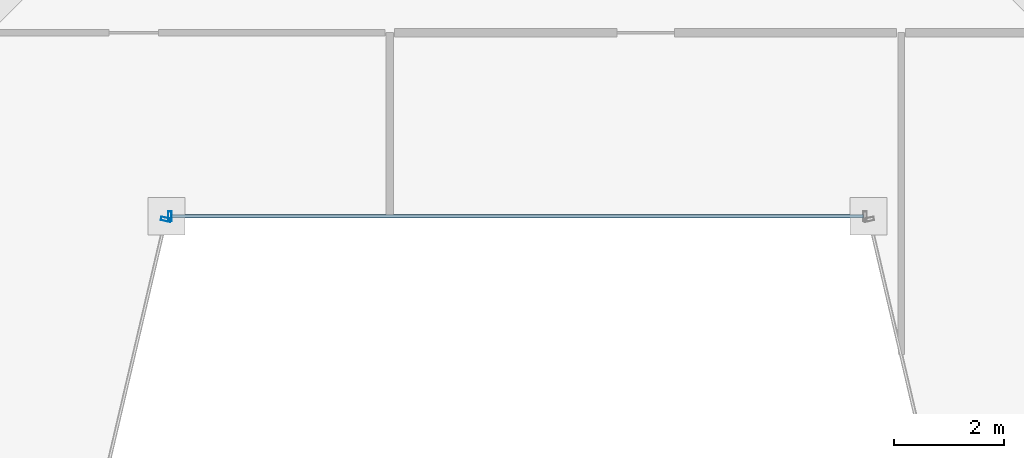
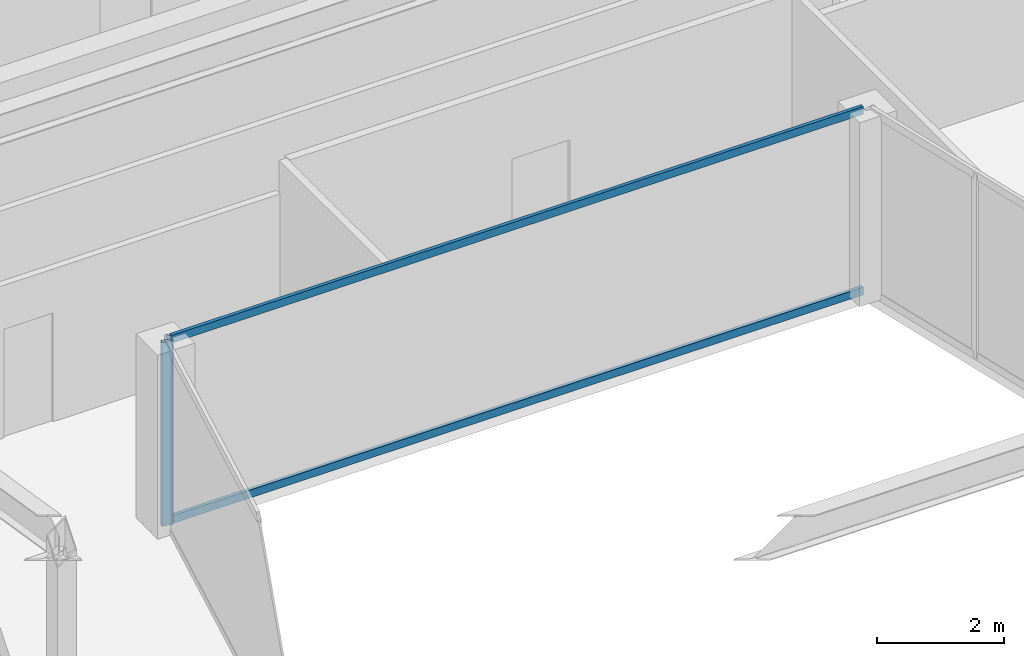
# One storey, part 8 of 32: 4 members, 2 elements without a shape of their own.
"""IFC4 building model written with IfcOpenShell, lengths in metres."""

from ifc_helpers import new_model, si_unit, direction, frame, origin, origin_2d, place, context, subcontext, project, spatial, hollow_rectangle, extrude, material, material_profile, profile_set, type_object, element, aggregate, save


model = new_model("IFC4")

# Units and contexts
model_context = context("Model", 3, precision=1e-05, world=origin(), true_north=direction((0.0, 1.0)))
body_context = subcontext(model_context, "Body", "Model", "MODEL_VIEW")
ifc_project = project(units=[si_unit("LENGTHUNIT", "METRE"), si_unit("AREAUNIT", "SQUARE_METRE"), si_unit("VOLUMEUNIT", "CUBIC_METRE"), si_unit("PLANEANGLEUNIT", "RADIAN"), si_unit("MASSUNIT", "GRAM", prefix="KILO")], contexts=[model_context])

# Site, building, storey
site_placement = place(None, origin())
site = spatial("IfcSite", under=ifc_project, at=site_placement, CompositionType="ELEMENT")
building_placement = place(site_placement, origin())
building = spatial("IfcBuilding", under=site, at=building_placement, Name="Saevonmaru Cultural Tower", CompositionType="ELEMENT")
storey_placement = place(building_placement, frame((0.0, 0.0, 268.60009765625)))
storey = spatial("IfcBuildingStorey", under=building, at=storey_placement, Name="L63", CompositionType="ELEMENT", Elevation=268.60009765625)

# Curtain wall, member
ifc_material = material(Name="Satin Bronze Anodised Aluminium", Category="aluminium")
curtain_wall_type = type_object("IfcCurtainWallType", Name="CW-TYP-B", PredefinedType="NOTDEFINED", material=ifc_material)
curtain_wall_1_placement = place(storey_placement, origin())
curtain_wall_1 = element("IfcCurtainWall", 1, at=curtain_wall_1_placement, inside=storey, type_object=curtain_wall_type, Name="L63 Unitised Curtain Wall E3", PredefinedType="NOTDEFINED")
ifc_material_profile_1 = material_profile(ifc_material, hollow_rectangle(XDim=0.06494140625, YDim=0.179931640625, WallThickness=0.00390625, at=origin_2d()), Name="ALU-MULL-180x65x4")
ifc_profile_set_1 = profile_set([ifc_material_profile_1], Name="Satin Bronze Anodised Aluminium")
member_type_1 = type_object("IfcMemberType", Name="ML-CW-180x65", PredefinedType="MULLION", material=ifc_profile_set_1)
member_1_placement = place(storey_placement, frame((23.581787109375, 35.54150390625, 0.0), z_axis=(0.0, 0.0, 1.0), x_axis=(0.228189509449, 0.973616735568, 0.0)))
member_1 = element("IfcMember", 2, at=member_1_placement, type_object=member_type_1, Name="CW-TW-L63-E3 mullion 2", PredefinedType="MULLION", context=body_context, shape_type="SweptSolid", body=[
    extrude(hollow_rectangle(XDim=0.06494140625, YDim=0.179931640625, WallThickness=0.00390625, at=origin_2d()), origin(), (0.0, 0.0, 1.0), 3.5498046875),
])
aggregate(curtain_wall_1, [member_1])

# Curtain wall, members
curtain_wall_2_placement = place(storey_placement, origin())
curtain_wall_2 = element("IfcCurtainWall", 3, at=curtain_wall_2_placement, inside=storey, type_object=curtain_wall_type, Name="L63 Unitised Curtain Wall E4", PredefinedType="NOTDEFINED")
member_2_placement = place(storey_placement, frame((23.655517578125, 35.60009765625, 0.0), z_axis=(0.0, 0.0, 1.0), x_axis=(1.0, 0.0, 0.0)))
member_2 = element("IfcMember", 4, at=member_2_placement, type_object=member_type_1, Name="CW-TW-L63-E4 mullion 1", PredefinedType="MULLION", context=body_context, shape_type="SweptSolid", body=[
    extrude(hollow_rectangle(XDim=0.06494140625, YDim=0.179931640625, WallThickness=0.00390625, at=origin_2d()), origin(), (0.0, 0.0, 1.0), 3.5498046875),
])
ifc_material_profile_2 = material_profile(ifc_material, hollow_rectangle(XDim=0.06494140625, YDim=0.14990234375, WallThickness=0.00390625, at=origin_2d()), Name="ALU-TRAN-150x65x4")
ifc_profile_set_2 = profile_set([ifc_material_profile_2], Name="Satin Bronze Anodised Aluminium")
member_type_2 = type_object("IfcMemberType", Name="TR-CW-150x65", PredefinedType="USERDEFINED", material=ifc_profile_set_2)
member_3_placement = place(storey_placement, frame((23.68798828125, 35.60009765625, 0.032470703125), z_axis=(1.0, 0.0, 0.0), x_axis=(0.0, 1.0, 0.0)))
member_3 = element("IfcMember", 5, at=member_3_placement, type_object=member_type_2, Name="CW-TW-L63-E4 transom 1.1", ObjectType="TRANSOM", PredefinedType="USERDEFINED", context=body_context, shape_type="SweptSolid", body=[
    extrude(hollow_rectangle(XDim=0.06494140625, YDim=0.14990234375, WallThickness=0.00390625, at=origin_2d()), origin(), (0.0, 0.0, 1.0), 12.6240234375),
])
member_4_placement = place(storey_placement, frame((23.68798828125, 35.60009765625, 3.517333984375), z_axis=(1.0, 0.0, 0.0), x_axis=(0.0, 1.0, 0.0)))
member_4 = element("IfcMember", 6, at=member_4_placement, type_object=member_type_2, Name="CW-TW-L63-E4 transom 1.2", ObjectType="TRANSOM", PredefinedType="USERDEFINED", context=body_context, shape_type="SweptSolid", body=[
    extrude(hollow_rectangle(XDim=0.06494140625, YDim=0.14990234375, WallThickness=0.00390625, at=origin_2d()), origin(), (0.0, 0.0, 1.0), 12.6240234375),
])
aggregate(curtain_wall_2, [member_2, member_3, member_4])

save(model, "model.ifc")
